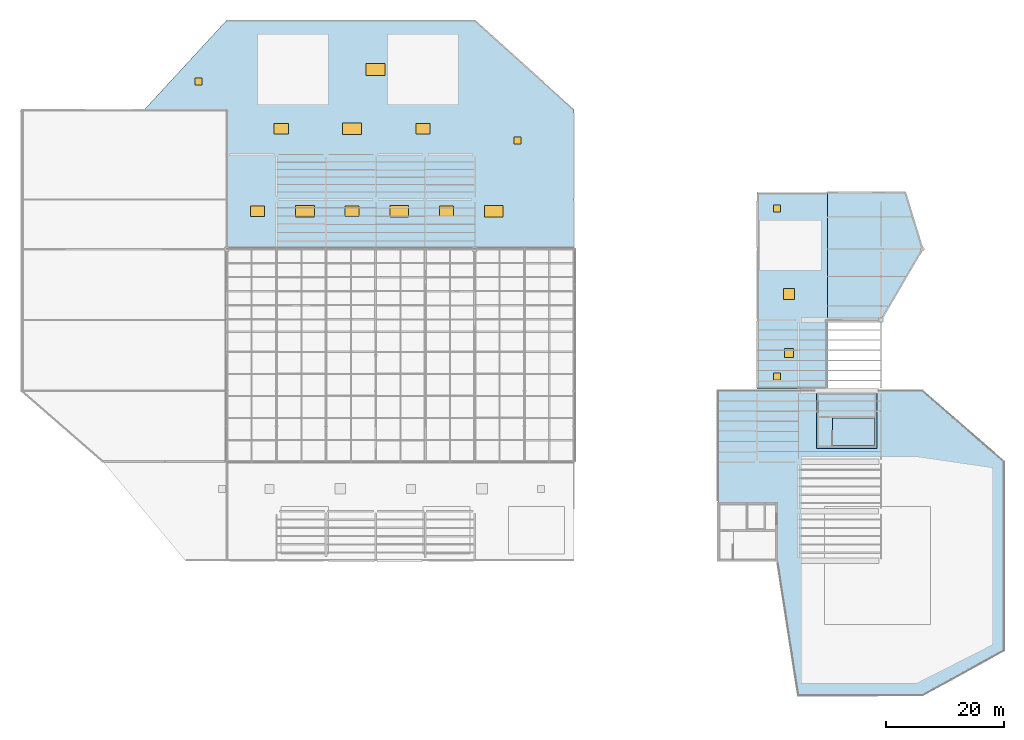
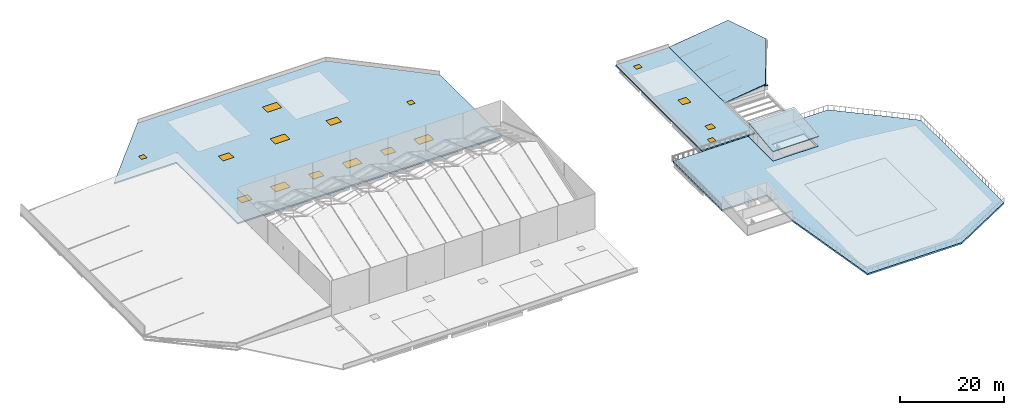
# One storey, part 53 of 77: 12 windows, 6 slabs, 4 doors, 1 plate, 16 openings.
"""IFC4 building model written with IfcOpenShell, lengths in metres."""

from ifc_helpers import new_model, si_unit, direction, frame, origin, origin_2d, place, context, subcontext, project, spatial, polyline, rectangle, outline, extrude, material, layer, layer_set, type_object, element, fill, save


model = new_model("IFC4")

# Units and contexts
model_context = context("Model", 3, precision=1e-05, world=origin(), true_north=direction((0.0, 1.0)))
body_context = subcontext(model_context, "Body", "Model", "MODEL_VIEW")
ifc_project = project(units=[si_unit("LENGTHUNIT", "METRE"), si_unit("AREAUNIT", "SQUARE_METRE"), si_unit("VOLUMEUNIT", "CUBIC_METRE"), si_unit("PLANEANGLEUNIT", "RADIAN"), si_unit("MASSUNIT", "GRAM", prefix="KILO")], contexts=[model_context])

# Site, building, storey
site_placement = place(None, origin())
site = spatial("IfcSite", under=ifc_project, at=site_placement, CompositionType="ELEMENT")
building_placement = place(site_placement, origin())
building = spatial("IfcBuilding", under=site, at=building_placement, Name="Larkvane Passage Sports Hall", CompositionType="ELEMENT")
storey_placement = place(building_placement, frame((0.0, 0.0, 22.199951171875)))
storey = spatial("IfcBuildingStorey", under=building, at=storey_placement, Name="RF", CompositionType="ELEMENT", Elevation=22.199951171875)

# Plate
ifc_material_1 = material(Name="Steel S460N", Category="steel")
ifc_layer_1 = layer(ifc_material_1, 0.028076171875)
ifc_layer_set_1 = layer_set([ifc_layer_1], Name="Steel S460N")
plate_type = type_object("IfcPlateType", Name="PLT-CAP-28", PredefinedType="SHEET", material=ifc_layer_set_1)
plate_placement = place(storey_placement, frame((145.60009765625, 63.60009765625, 1.02392578125), z_axis=(0.0, 0.0, 1.0), x_axis=(1.0, 0.0, 0.0)))
element("IfcPlate", 1, at=plate_placement, inside=storey, type_object=plate_type, Name="Hollow section sealed end cap plate 0553", PredefinedType="SHEET", context=body_context, shape_type="SweptSolid", body=[
    extrude(rectangle(XDim=0.739990234375, YDim=0.739990234375, at=origin_2d()), origin(), (0.0, 0.0, 1.0), 0.028076171875),
])

# Slabs
ifc_material_2 = material(Name="Concrete C40/50", Category="concrete")
ifc_layer_2 = layer(ifc_material_2, 0.25)
ifc_layer_set_2 = layer_set([ifc_layer_2], Name="Concrete C40/50")
slab_type_1 = type_object("IfcSlabType", Name="SLB-FLR-250", PredefinedType="FLOOR", material=ifc_layer_set_2)
slab_1_placement = place(storey_placement, frame((0.0, 0.0, -0.25)))
element("IfcSlab", 2, at=slab_1_placement, inside=storey, type_object=slab_type_1, Name="Roof head-house floor slab SLAB-RF-HH-C7", PredefinedType="FLOOR", context=body_context, shape_type="SweptSolid", body=[
    extrude(outline(polyline([(134.75, 41.949951171875), (144.85009765625, 41.949951171875), (144.85009765625, 51.60009765625), (134.75, 51.60009765625), (134.75, 41.949951171875)]), holes=[polyline([(137.380615234375, 47.0), (144.5, 47.0), (144.5, 42.300048828125), (137.380615234375, 42.300048828125), (137.380615234375, 47.0)])]), origin(), (0.0, 0.0, 1.0), 0.25),
])
ifc_material_3 = material(Name="Precast concrete C45/55", Category="concrete")
ifc_layer_3 = layer(ifc_material_3, 0.219970703125)
ifc_layer_set_3 = layer_set([ifc_layer_3], Name="Precast concrete C45/55")
slab_type_2 = type_object("IfcSlabType", Name="SLB-FRP-220", PredefinedType="ROOF", material=ifc_layer_set_3)
slab_2_placement = place(storey_placement, frame((136.5, 63.60009765625, 0.0), z_axis=(-0.13538865073, 4.208933e-06, 0.990792568218), x_axis=(0.990792568227, -6.9e-11, 0.135388650731)))
element("IfcSlab", 3, at=slab_2_placement, inside=storey, type_object=slab_type_2, Name="Studio and clinic wing faceted mono-fold roof plate", PredefinedType="ROOF", context=body_context, shape_type="SweptSolid", body=[
    extrude(outline(polyline([(0.0, 0.0), (9.184685540748374, 0.0), (16.249705525537262, 12.000000001338902), (13.32261551068566, 21.599853516443922), (-1.5001439543360712e-09, 21.59985351543368), (0.0, 0.0)])), origin(), (0.0, 0.0, -1.0), 0.219970703125),
])
slab_3_placement = place(storey_placement, frame((134.64990234375, 41.85009765625, 2.380126953125), z_axis=(0.0, -0.115005871647, 0.993364811883), x_axis=(1.0, 0.0, 0.0)))
element("IfcSlab", 4, at=slab_3_placement, inside=storey, type_object=slab_type_2, Name="Stair and lift head-house sloped roof plate C7", PredefinedType="ROOF", context=body_context, shape_type="SweptSolid", body=[
    extrude(outline(polyline([(0.0, 0.0), (10.300048828125, 0.0), (10.300048828125, 9.563455325133937), (0.0, 9.563455325133937), (0.0, 0.0)])), origin(), (0.0, 0.0, -1.0), 0.219970703125),
])

# Slab, openings, doors, windows
ifc_layer_4 = layer(ifc_material_2, 0.280029296875)
ifc_layer_set_4 = layer_set([ifc_layer_4], Name="Concrete C40/50")
slab_type_3 = type_object("IfcSlabType", Name="SLB-ROOF-200", PredefinedType="ROOF", material=ifc_layer_set_4)
slab_4_placement = place(storey_placement, frame((0.0, 0.0, -0.280029296875)))
slab_4 = element("IfcSlab", 5, at=slab_4_placement, inside=storey, type_object=slab_type_3, Name="Studio and clinic wing core roof deck", PredefinedType="ROOF", context=body_context, shape_type="SweptSolid", body=[
    extrude(outline(polyline([(124.60009765625, 51.949951171875), (136.5, 51.949951171875), (136.5, 85.199951171875), (124.60009765625, 85.199951171875), (124.60009765625, 51.949951171875)])), origin(), (0.0, 0.0, 1.0), 0.280029296875),
])
opening_1_placement = place(slab_4_placement, frame((130.0, 58.0, -0.010009765625), z_axis=(0.0, 0.0, 1.0), x_axis=(1.0, 0.0, 0.0)))
opening_1 = element("IfcOpeningElement", 6, at=opening_1_placement, cuts=slab_4, Name="Opening DM-01", PredefinedType="OPENING", context=body_context, shape_type="SweptSolid", body=[
    extrude(rectangle(XDim=1.5, YDim=1.5, at=origin_2d()), origin(), (0.0, 0.0, 1.0), 0.300048828125),
])
opening_2_placement = place(slab_4_placement, frame((130.0, 68.0, -0.010009765625), z_axis=(0.0, 0.0, 1.0), x_axis=(1.0, 0.0, 0.0)))
opening_2 = element("IfcOpeningElement", 7, at=opening_2_placement, cuts=slab_4, Name="Opening DM-02", PredefinedType="OPENING", context=body_context, shape_type="SweptSolid", body=[
    extrude(rectangle(XDim=1.800048828125, YDim=1.800048828125, at=origin_2d()), origin(), (0.0, 0.0, 1.0), 0.300048828125),
])
opening_3_placement = place(slab_4_placement, frame((128.0, 54.0, -0.010009765625), z_axis=(0.0, 0.0, 1.0), x_axis=(1.0, 0.0, 0.0)))
opening_3 = element("IfcOpeningElement", 8, at=opening_3_placement, cuts=slab_4, Name="Opening RH-01", PredefinedType="OPENING", context=body_context, shape_type="SweptSolid", body=[
    extrude(rectangle(XDim=1.199951171875, YDim=1.199951171875, at=origin_2d()), origin(), (0.0, 0.0, 1.0), 0.300048828125),
])
opening_4_placement = place(slab_4_placement, frame((128.0, 82.5, -0.010009765625), z_axis=(0.0, 0.0, 1.0), x_axis=(1.0, 0.0, 0.0)))
opening_4 = element("IfcOpeningElement", 9, at=opening_4_placement, cuts=slab_4, Name="Opening RH-01", PredefinedType="OPENING", context=body_context, shape_type="SweptSolid", body=[
    extrude(rectangle(XDim=1.199951171875, YDim=1.199951171875, at=origin_2d()), origin(), (0.0, 0.0, 1.0), 0.300048828125),
])
ifc_material_4 = material(Name="Insulated aluminium roof access hatch", Category="aluminium")
door_type = type_object("IfcDoorType", Name="DR-HATCH-1200", OperationType="SWING_FIXED_LEFT", PredefinedType="TRAPDOOR", material=ifc_material_4)
door_1_placement = place(slab_4_placement, frame((128.0, 54.0, 0.22998046875), z_axis=(0.0, 0.0, 1.0), x_axis=(1.0, 0.0, 0.0)))
door_1 = element("IfcDoor", 10, at=door_1_placement, inside=storey, type_object=door_type, Name="Maintenance roof hatch HATCH-RF-05", OperationType="SWING_FIXED_LEFT", OverallHeight=1.199951171875, OverallWidth=1.199951171875, PredefinedType="TRAPDOOR", context=body_context, shape_type="SweptSolid", body=[
    extrude(rectangle(XDim=1.199951171875, YDim=1.199951171875, at=origin_2d()), origin(), (0.0, 0.0, 1.0), 0.050048828125),
])
fill(opening_3, door_1)
door_2_placement = place(slab_4_placement, frame((128.0, 82.5, 0.22998046875), z_axis=(0.0, 0.0, 1.0), x_axis=(1.0, 0.0, 0.0)))
door_2 = element("IfcDoor", 11, at=door_2_placement, inside=storey, type_object=door_type, Name="Maintenance roof hatch HATCH-RF-06", OperationType="SWING_FIXED_LEFT", OverallHeight=1.199951171875, OverallWidth=1.199951171875, PredefinedType="TRAPDOOR", context=body_context, shape_type="SweptSolid", body=[
    extrude(rectangle(XDim=1.199951171875, YDim=1.199951171875, at=origin_2d()), origin(), (0.0, 0.0, 1.0), 0.050048828125),
])
fill(opening_4, door_2)
ifc_material_5 = material(Name="Thermally broken aluminium and laminated low-E glass", Category="aluminium")
window_type_1 = type_object("IfcWindowType", Name="SK-DOME-1500x1500", PartitioningType="SINGLE_PANEL", PredefinedType="LIGHTDOME", material=ifc_material_5)
window_1_placement = place(slab_4_placement, frame((130.0, 58.0, 0.219970703125), z_axis=(0.0, 0.0, 1.0), x_axis=(1.0, 0.0, 0.0)))
window_1 = element("IfcWindow", 12, at=window_1_placement, inside=storey, type_object=window_type_1, Name="Smoke vent lightdome DOME-05", OverallHeight=1.5, OverallWidth=1.5, PartitioningType="SINGLE_PANEL", PredefinedType="LIGHTDOME", context=body_context, shape_type="SweptSolid", body=[
    extrude(rectangle(XDim=1.5, YDim=1.5, at=origin_2d()), origin(), (0.0, 0.0, 1.0), 0.06005859375),
])
fill(opening_1, window_1)
window_type_2 = type_object("IfcWindowType", Name="SK-DOME-1800x1800", PartitioningType="SINGLE_PANEL", PredefinedType="LIGHTDOME", material=ifc_material_5)
window_2_placement = place(slab_4_placement, frame((130.0, 68.0, 0.219970703125), z_axis=(0.0, 0.0, 1.0), x_axis=(1.0, 0.0, 0.0)))
window_2 = element("IfcWindow", 13, at=window_2_placement, inside=storey, type_object=window_type_2, Name="Smoke vent lightdome DOME-06", OverallHeight=1.800048828125, OverallWidth=1.800048828125, PartitioningType="SINGLE_PANEL", PredefinedType="LIGHTDOME", context=body_context, shape_type="SweptSolid", body=[
    extrude(rectangle(XDim=1.800048828125, YDim=1.800048828125, at=origin_2d()), origin(), (0.0, 0.0, 1.0), 0.06005859375),
])
fill(opening_2, window_2)

ifc_layer_5 = layer(ifc_material_2, 0.330078125)
ifc_layer_set_5 = layer_set([ifc_layer_5], Name="Concrete C40/50")
slab_type_4 = type_object("IfcSlabType", Name="SLB-ROOF-240", PredefinedType="ROOF", material=ifc_layer_set_5)
slab_5_placement = place(storey_placement, frame((0.0, 0.0, -0.329833984375)))
slab_5 = element("IfcSlab", 14, at=slab_5_placement, inside=storey, type_object=slab_type_4, Name="North arena gallery roof and skylight curb deck", PredefinedType="ROOF", context=body_context, shape_type="SweptSolid", body=[
    extrude(outline(polyline([(20.800048828125, 99.199951171875), (34.800048828125, 99.199951171875), (34.800048828125, 75.60009765625), (93.60009765625, 75.60009765625), (93.60009765625, 99.199951171875), (76.800048828125, 114.39990234375), (34.800048828125, 114.39990234375), (20.800048828125, 99.199951171875)])), origin(), (0.0, 0.0, 1.0), 0.329833984375),
])
opening_5_placement = place(slab_5_placement, frame((40.0, 82.0, -0.010009765625), z_axis=(0.0, 0.0, 1.0), x_axis=(1.0, 0.0, 0.0)))
opening_5 = element("IfcOpeningElement", 15, at=opening_5_placement, cuts=slab_5, Name="Opening SK-01", PredefinedType="OPENING", context=body_context, shape_type="SweptSolid", body=[
    extrude(rectangle(XDim=2.39990234375, YDim=1.800048828125, at=origin_2d()), origin(), (0.0, 0.0, 1.0), 0.349853515625),
])
opening_6_placement = place(slab_5_placement, frame((48.0, 82.0, -0.010009765625), z_axis=(0.0, 0.0, 1.0), x_axis=(1.0, 0.0, 0.0)))
opening_6 = element("IfcOpeningElement", 16, at=opening_6_placement, cuts=slab_5, Name="Opening SK-02", PredefinedType="OPENING", context=body_context, shape_type="SweptSolid", body=[
    extrude(rectangle(XDim=3.199951171875, YDim=2.0, at=origin_2d()), origin(), (0.0, 0.0, 1.0), 0.349853515625),
])
opening_7_placement = place(slab_5_placement, frame((56.0, 82.0, -0.010009765625), z_axis=(0.0, 0.0, 1.0), x_axis=(1.0, 0.0, 0.0)))
opening_7 = element("IfcOpeningElement", 17, at=opening_7_placement, cuts=slab_5, Name="Opening SK-01", PredefinedType="OPENING", context=body_context, shape_type="SweptSolid", body=[
    extrude(rectangle(XDim=2.39990234375, YDim=1.800048828125, at=origin_2d()), origin(), (0.0, 0.0, 1.0), 0.349853515625),
])
opening_8_placement = place(slab_5_placement, frame((64.0, 82.0, -0.010009765625), z_axis=(0.0, 0.0, 1.0), x_axis=(1.0, 0.0, 0.0)))
opening_8 = element("IfcOpeningElement", 18, at=opening_8_placement, cuts=slab_5, Name="Opening SK-02", PredefinedType="OPENING", context=body_context, shape_type="SweptSolid", body=[
    extrude(rectangle(XDim=3.199951171875, YDim=2.0, at=origin_2d()), origin(), (0.0, 0.0, 1.0), 0.349853515625),
])
opening_9_placement = place(slab_5_placement, frame((72.0, 82.0, -0.010009765625), z_axis=(0.0, 0.0, 1.0), x_axis=(1.0, 0.0, 0.0)))
opening_9 = element("IfcOpeningElement", 19, at=opening_9_placement, cuts=slab_5, Name="Opening SK-01", PredefinedType="OPENING", context=body_context, shape_type="SweptSolid", body=[
    extrude(rectangle(XDim=2.39990234375, YDim=1.800048828125, at=origin_2d()), origin(), (0.0, 0.0, 1.0), 0.349853515625),
])
opening_10_placement = place(slab_5_placement, frame((80.0, 82.0, -0.010009765625), z_axis=(0.0, 0.0, 1.0), x_axis=(1.0, 0.0, 0.0)))
opening_10 = element("IfcOpeningElement", 20, at=opening_10_placement, cuts=slab_5, Name="Opening SK-02", PredefinedType="OPENING", context=body_context, shape_type="SweptSolid", body=[
    extrude(rectangle(XDim=3.199951171875, YDim=2.0, at=origin_2d()), origin(), (0.0, 0.0, 1.0), 0.349853515625),
])
opening_11_placement = place(slab_5_placement, frame((44.0, 96.0, -0.010009765625), z_axis=(0.0, 0.0, 1.0), x_axis=(1.0, 0.0, 0.0)))
opening_11 = element("IfcOpeningElement", 21, at=opening_11_placement, cuts=slab_5, Name="Opening SK-01", PredefinedType="OPENING", context=body_context, shape_type="SweptSolid", body=[
    extrude(rectangle(XDim=2.39990234375, YDim=1.800048828125, at=origin_2d()), origin(), (0.0, 0.0, 1.0), 0.349853515625),
])
opening_12_placement = place(slab_5_placement, frame((56.0, 96.0, -0.010009765625), z_axis=(0.0, 0.0, 1.0), x_axis=(1.0, 0.0, 0.0)))
opening_12 = element("IfcOpeningElement", 22, at=opening_12_placement, cuts=slab_5, Name="Opening SK-02", PredefinedType="OPENING", context=body_context, shape_type="SweptSolid", body=[
    extrude(rectangle(XDim=3.199951171875, YDim=2.0, at=origin_2d()), origin(), (0.0, 0.0, 1.0), 0.349853515625),
])
opening_13_placement = place(slab_5_placement, frame((68.0, 96.0, -0.010009765625), z_axis=(0.0, 0.0, 1.0), x_axis=(1.0, 0.0, 0.0)))
opening_13 = element("IfcOpeningElement", 23, at=opening_13_placement, cuts=slab_5, Name="Opening SK-01", PredefinedType="OPENING", context=body_context, shape_type="SweptSolid", body=[
    extrude(rectangle(XDim=2.39990234375, YDim=1.800048828125, at=origin_2d()), origin(), (0.0, 0.0, 1.0), 0.349853515625),
])
opening_14_placement = place(slab_5_placement, frame((60.0, 106.0, -0.010009765625), z_axis=(0.0, 0.0, 1.0), x_axis=(1.0, 0.0, 0.0)))
opening_14 = element("IfcOpeningElement", 24, at=opening_14_placement, cuts=slab_5, Name="Opening SK-02", PredefinedType="OPENING", context=body_context, shape_type="SweptSolid", body=[
    extrude(rectangle(XDim=3.199951171875, YDim=2.0, at=origin_2d()), origin(), (0.0, 0.0, 1.0), 0.349853515625),
])
opening_15_placement = place(slab_5_placement, frame((30.0, 104.0, -0.010009765625), z_axis=(0.0, 0.0, 1.0), x_axis=(1.0, 0.0, 0.0)))
opening_15 = element("IfcOpeningElement", 25, at=opening_15_placement, cuts=slab_5, Name="Opening RH-01", PredefinedType="OPENING", context=body_context, shape_type="SweptSolid", body=[
    extrude(rectangle(XDim=1.199951171875, YDim=1.199951171875, at=origin_2d()), origin(), (0.0, 0.0, 1.0), 0.349853515625),
])
opening_16_placement = place(slab_5_placement, frame((84.0, 94.0, -0.010009765625), z_axis=(0.0, 0.0, 1.0), x_axis=(1.0, 0.0, 0.0)))
opening_16 = element("IfcOpeningElement", 26, at=opening_16_placement, cuts=slab_5, Name="Opening RH-01", PredefinedType="OPENING", context=body_context, shape_type="SweptSolid", body=[
    extrude(rectangle(XDim=1.199951171875, YDim=1.199951171875, at=origin_2d()), origin(), (0.0, 0.0, 1.0), 0.349853515625),
])
door_3_placement = place(slab_5_placement, frame((30.0, 104.0, 0.27978515625), z_axis=(0.0, 0.0, 1.0), x_axis=(1.0, 0.0, 0.0)))
door_3 = element("IfcDoor", 27, at=door_3_placement, inside=storey, type_object=door_type, Name="Maintenance roof hatch HATCH-RF-03", OperationType="SWING_FIXED_LEFT", OverallHeight=1.199951171875, OverallWidth=1.199951171875, PredefinedType="TRAPDOOR", context=body_context, shape_type="SweptSolid", body=[
    extrude(rectangle(XDim=1.199951171875, YDim=1.199951171875, at=origin_2d()), origin(), (0.0, 0.0, 1.0), 0.050048828125),
])
fill(opening_15, door_3)
door_4_placement = place(slab_5_placement, frame((84.0, 94.0, 0.27978515625), z_axis=(0.0, 0.0, 1.0), x_axis=(1.0, 0.0, 0.0)))
door_4 = element("IfcDoor", 28, at=door_4_placement, inside=storey, type_object=door_type, Name="Maintenance roof hatch HATCH-RF-04", OperationType="SWING_FIXED_LEFT", OverallHeight=1.199951171875, OverallWidth=1.199951171875, PredefinedType="TRAPDOOR", context=body_context, shape_type="SweptSolid", body=[
    extrude(rectangle(XDim=1.199951171875, YDim=1.199951171875, at=origin_2d()), origin(), (0.0, 0.0, 1.0), 0.050048828125),
])
fill(opening_16, door_4)
window_type_3 = type_object("IfcWindowType", Name="SK-NORTH-2400x1800", PartitioningType="SINGLE_PANEL", PredefinedType="SKYLIGHT", material=ifc_material_5)
window_3_placement = place(slab_5_placement, frame((40.0, 82.0, 0.269775390625), z_axis=(0.0, 0.0, 1.0), x_axis=(1.0, 0.0, 0.0)))
window_3 = element("IfcWindow", 29, at=window_3_placement, inside=storey, type_object=window_type_3, Name="Northlight roof skylight SKY-RF-01", OverallHeight=1.800048828125, OverallWidth=2.39990234375, PartitioningType="SINGLE_PANEL", PredefinedType="SKYLIGHT", context=body_context, shape_type="SweptSolid", body=[
    extrude(rectangle(XDim=2.39990234375, YDim=1.800048828125, at=origin_2d()), origin(), (0.0, 0.0, 1.0), 0.06005859375),
])
fill(opening_5, window_3)
window_4_placement = place(slab_5_placement, frame((56.0, 82.0, 0.269775390625), z_axis=(0.0, 0.0, 1.0), x_axis=(1.0, 0.0, 0.0)))
window_4 = element("IfcWindow", 30, at=window_4_placement, inside=storey, type_object=window_type_3, Name="Northlight roof skylight SKY-RF-03", OverallHeight=1.800048828125, OverallWidth=2.39990234375, PartitioningType="SINGLE_PANEL", PredefinedType="SKYLIGHT", context=body_context, shape_type="SweptSolid", body=[
    extrude(rectangle(XDim=2.39990234375, YDim=1.800048828125, at=origin_2d()), origin(), (0.0, 0.0, 1.0), 0.06005859375),
])
fill(opening_7, window_4)
window_5_placement = place(slab_5_placement, frame((72.0, 82.0, 0.269775390625), z_axis=(0.0, 0.0, 1.0), x_axis=(1.0, 0.0, 0.0)))
window_5 = element("IfcWindow", 31, at=window_5_placement, inside=storey, type_object=window_type_3, Name="Northlight roof skylight SKY-RF-05", OverallHeight=1.800048828125, OverallWidth=2.39990234375, PartitioningType="SINGLE_PANEL", PredefinedType="SKYLIGHT", context=body_context, shape_type="SweptSolid", body=[
    extrude(rectangle(XDim=2.39990234375, YDim=1.800048828125, at=origin_2d()), origin(), (0.0, 0.0, 1.0), 0.06005859375),
])
fill(opening_9, window_5)
window_6_placement = place(slab_5_placement, frame((44.0, 96.0, 0.269775390625), z_axis=(0.0, 0.0, 1.0), x_axis=(1.0, 0.0, 0.0)))
window_6 = element("IfcWindow", 32, at=window_6_placement, inside=storey, type_object=window_type_3, Name="Northlight roof skylight SKY-RF-07", OverallHeight=1.800048828125, OverallWidth=2.39990234375, PartitioningType="SINGLE_PANEL", PredefinedType="SKYLIGHT", context=body_context, shape_type="SweptSolid", body=[
    extrude(rectangle(XDim=2.39990234375, YDim=1.800048828125, at=origin_2d()), origin(), (0.0, 0.0, 1.0), 0.06005859375),
])
fill(opening_11, window_6)
window_7_placement = place(slab_5_placement, frame((68.0, 96.0, 0.269775390625), z_axis=(0.0, 0.0, 1.0), x_axis=(1.0, 0.0, 0.0)))
window_7 = element("IfcWindow", 33, at=window_7_placement, inside=storey, type_object=window_type_3, Name="Northlight roof skylight SKY-RF-09", OverallHeight=1.800048828125, OverallWidth=2.39990234375, PartitioningType="SINGLE_PANEL", PredefinedType="SKYLIGHT", context=body_context, shape_type="SweptSolid", body=[
    extrude(rectangle(XDim=2.39990234375, YDim=1.800048828125, at=origin_2d()), origin(), (0.0, 0.0, 1.0), 0.06005859375),
])
fill(opening_13, window_7)
window_type_4 = type_object("IfcWindowType", Name="SK-NORTH-3200x2000", PartitioningType="DOUBLE_PANEL_HORIZONTAL", PredefinedType="SKYLIGHT", material=ifc_material_5)
window_8_placement = place(slab_5_placement, frame((48.0, 82.0, 0.269775390625), z_axis=(0.0, 0.0, 1.0), x_axis=(1.0, 0.0, 0.0)))
window_8 = element("IfcWindow", 34, at=window_8_placement, inside=storey, type_object=window_type_4, Name="Northlight roof skylight SKY-RF-02", OverallHeight=2.0, OverallWidth=3.199951171875, PartitioningType="DOUBLE_PANEL_HORIZONTAL", PredefinedType="SKYLIGHT", context=body_context, shape_type="SweptSolid", body=[
    extrude(rectangle(XDim=3.199951171875, YDim=2.0, at=origin_2d()), origin(), (0.0, 0.0, 1.0), 0.06005859375),
])
fill(opening_6, window_8)
window_9_placement = place(slab_5_placement, frame((64.0, 82.0, 0.269775390625), z_axis=(0.0, 0.0, 1.0), x_axis=(1.0, 0.0, 0.0)))
window_9 = element("IfcWindow", 35, at=window_9_placement, inside=storey, type_object=window_type_4, Name="Northlight roof skylight SKY-RF-04", OverallHeight=2.0, OverallWidth=3.199951171875, PartitioningType="DOUBLE_PANEL_HORIZONTAL", PredefinedType="SKYLIGHT", context=body_context, shape_type="SweptSolid", body=[
    extrude(rectangle(XDim=3.199951171875, YDim=2.0, at=origin_2d()), origin(), (0.0, 0.0, 1.0), 0.06005859375),
])
fill(opening_8, window_9)
window_10_placement = place(slab_5_placement, frame((80.0, 82.0, 0.269775390625), z_axis=(0.0, 0.0, 1.0), x_axis=(1.0, 0.0, 0.0)))
window_10 = element("IfcWindow", 36, at=window_10_placement, inside=storey, type_object=window_type_4, Name="Northlight roof skylight SKY-RF-06", OverallHeight=2.0, OverallWidth=3.199951171875, PartitioningType="DOUBLE_PANEL_HORIZONTAL", PredefinedType="SKYLIGHT", context=body_context, shape_type="SweptSolid", body=[
    extrude(rectangle(XDim=3.199951171875, YDim=2.0, at=origin_2d()), origin(), (0.0, 0.0, 1.0), 0.06005859375),
])
fill(opening_10, window_10)
window_11_placement = place(slab_5_placement, frame((56.0, 96.0, 0.269775390625), z_axis=(0.0, 0.0, 1.0), x_axis=(1.0, 0.0, 0.0)))
window_11 = element("IfcWindow", 37, at=window_11_placement, inside=storey, type_object=window_type_4, Name="Northlight roof skylight SKY-RF-08", OverallHeight=2.0, OverallWidth=3.199951171875, PartitioningType="DOUBLE_PANEL_HORIZONTAL", PredefinedType="SKYLIGHT", context=body_context, shape_type="SweptSolid", body=[
    extrude(rectangle(XDim=3.199951171875, YDim=2.0, at=origin_2d()), origin(), (0.0, 0.0, 1.0), 0.06005859375),
])
fill(opening_12, window_11)
window_12_placement = place(slab_5_placement, frame((60.0, 106.0, 0.269775390625), z_axis=(0.0, 0.0, 1.0), x_axis=(1.0, 0.0, 0.0)))
window_12 = element("IfcWindow", 38, at=window_12_placement, inside=storey, type_object=window_type_4, Name="Northlight roof skylight SKY-RF-10", OverallHeight=2.0, OverallWidth=3.199951171875, PartitioningType="DOUBLE_PANEL_HORIZONTAL", PredefinedType="SKYLIGHT", context=body_context, shape_type="SweptSolid", body=[
    extrude(rectangle(XDim=3.199951171875, YDim=2.0, at=origin_2d()), origin(), (0.0, 0.0, 1.0), 0.06005859375),
])
fill(opening_14, window_12)

# Slab
ifc_layer_6 = layer(ifc_material_2, 0.3701171875)
ifc_layer_set_6 = layer_set([ifc_layer_6], Name="Concrete C40/50")
slab_type_5 = type_object("IfcSlabType", Name="SLB-TER-215", PredefinedType="FLOOR", material=ifc_layer_set_6)
slab_6_placement = place(storey_placement, frame((0.0, 0.0, -0.369873046875)))
element("IfcSlab", 39, at=slab_6_placement, inside=storey, type_object=slab_type_5, Name="Exterior terrace deck SLAB-EXT-RF-TRACK", PredefinedType="FLOOR", context=body_context, shape_type="SweptSolid", body=[
    extrude(outline(polyline([(128.050048828125, 22.800048828125), (131.60009765625, 0.0), (152.60009765625, 0.0), (166.39990234375, 7.60009765625), (166.39990234375, 39.60009765625), (152.60009765625, 51.60009765625), (144.85009765625, 51.60009765625), (144.85009765625, 41.949951171875), (134.75, 41.949951171875), (134.75, 51.60009765625), (118.0, 51.60009765625), (118.0, 32.64990234375), (128.050048828125, 32.64990234375), (128.050048828125, 22.800048828125)])), origin(), (0.0, 0.0, 1.0), 0.369873046875),
])

save(model, "model.ifc")
